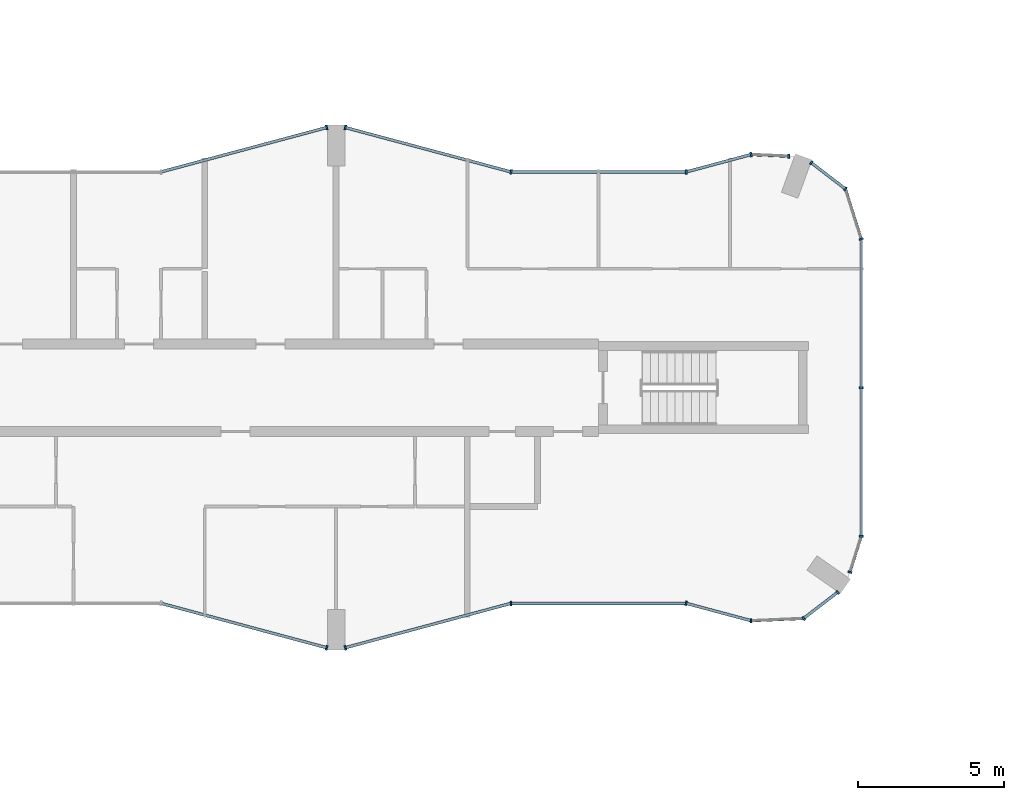
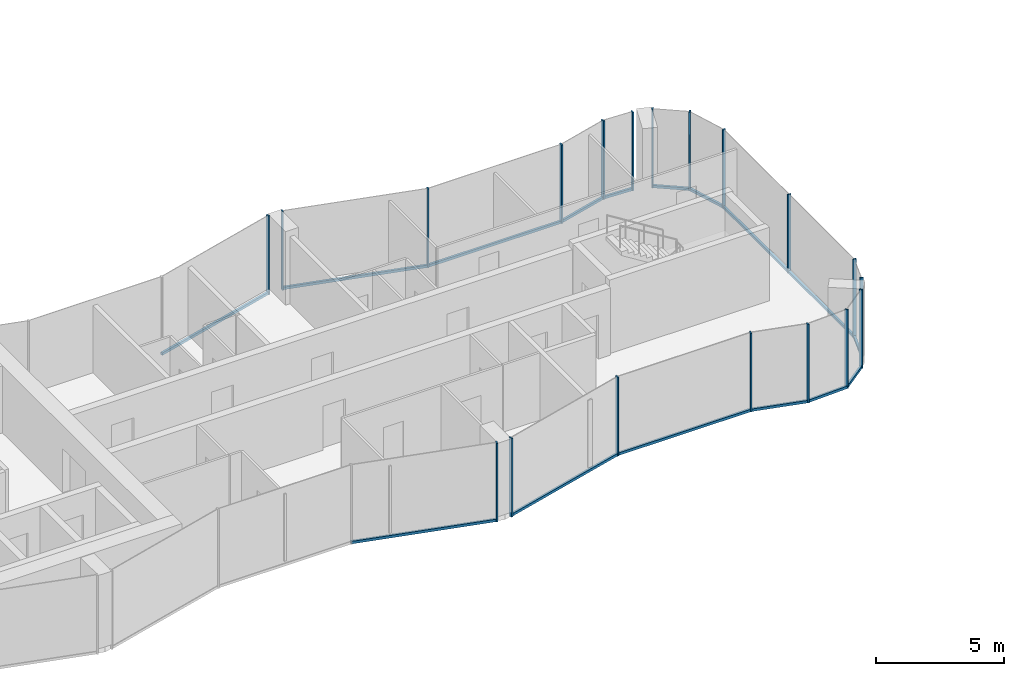
# One storey, part 5 of 22: 34 members, 15 elements without a shape of their own.
"""IFC4 building model written with IfcOpenShell, lengths in metres."""

from ifc_helpers import new_model, si_unit, direction, frame, origin, origin_2d, place, context, subcontext, project, spatial, rectangle, extrude, material, layer, layer_set, material_profile, profile_set, type_object, element, aggregate, save


model = new_model("IFC4")

# Units and contexts
model_context = context("Model", 3, precision=1e-05, world=origin(), true_north=direction((0.0, 1.0)))
body_context = subcontext(model_context, "Body", "Model", "MODEL_VIEW")
ifc_project = project(units=[si_unit("LENGTHUNIT", "METRE"), si_unit("AREAUNIT", "SQUARE_METRE"), si_unit("VOLUMEUNIT", "CUBIC_METRE"), si_unit("PLANEANGLEUNIT", "RADIAN"), si_unit("MASSUNIT", "GRAM", prefix="KILO")], contexts=[model_context])

# Site, building, storey
site_placement = place(None, origin())
site = spatial("IfcSite", under=ifc_project, at=site_placement, CompositionType="ELEMENT")
building_placement = place(site_placement, origin())
building = spatial("IfcBuilding", under=site, at=building_placement, Name="Plateau Cross Towers", CompositionType="ELEMENT")
storey_placement = place(building_placement, frame((0.0, 0.0, 68.800048828125)))
storey = spatial("IfcBuildingStorey", under=building, at=storey_placement, Name="L17", CompositionType="ELEMENT", Elevation=68.800048828125)

# Curtain wall, member
ifc_material_1 = material(Name="Dark low-iron glass", Category="glass")
ifc_layer_1 = layer(ifc_material_1, 0.239990234375)
ifc_layer_set_1 = layer_set([ifc_layer_1], Name="Dark low-iron glass")
curtain_wall_type_1 = type_object("IfcCurtainWallType", Name="Curtain wall flush unitised CW-B", PredefinedType="NOTDEFINED", material=ifc_layer_set_1)
curtain_wall_1_placement = place(storey_placement, origin())
curtain_wall_1 = element("IfcCurtainWall", 1, at=curtain_wall_1_placement, inside=storey, type_object=curtain_wall_type_1, Name="ENV/A/L17/A502_10", PredefinedType="NOTDEFINED")
ifc_material_2 = material(Name="Black anodised aluminium", Category="aluminium")
ifc_material_profile_1 = material_profile(ifc_material_2, rectangle(XDim=0.06005859375, YDim=0.139892578125, at=origin_2d()), Name="MULLION 60x140")
ifc_profile_set_1 = profile_set([ifc_material_profile_1], Name="Black anodised aluminium")
member_type_1 = type_object("IfcMemberType", Name="Mullion 60x140 flush unitised", PredefinedType="MULLION", material=ifc_profile_set_1)
member_1_placement = place(storey_placement, frame((50.223876953125, 1.01123046875, -0.25), z_axis=(0.0, 0.0, 1.0), x_axis=(0.999043701491, 0.043722791671, 0.0)))
member_1 = element("IfcMember", 2, at=member_1_placement, type_object=member_type_1, Name="CW-B mullion 1", PredefinedType="MULLION", context=body_context, shape_type="SweptSolid", body=[
    extrude(rectangle(XDim=0.06005859375, YDim=0.139892578125, at=origin_2d()), origin(), (0.0, 0.0, 1.0), 3.75),
])

# Curtain wall, members
curtain_wall_2_placement = place(storey_placement, origin())
curtain_wall_2 = element("IfcCurtainWall", 3, at=curtain_wall_2_placement, inside=storey, type_object=curtain_wall_type_1, Name="ENV/A/L17/A520_11", PredefinedType="NOTDEFINED")
member_2_placement = place(storey_placement, frame((52.0263671875, 1.090087890625, -0.25), z_axis=(0.0, 0.0, 1.0), x_axis=(0.793315514529, 0.608810721331, 0.0)))
member_2 = element("IfcMember", 4, at=member_2_placement, type_object=member_type_1, Name="CW-B mullion 1", PredefinedType="MULLION", context=body_context, shape_type="SweptSolid", body=[
    extrude(rectangle(XDim=0.06005859375, YDim=0.139892578125, at=origin_2d()), origin(), (0.0, 0.0, 1.0), 3.75),
])
member_3_placement = place(storey_placement, frame((53.193603515625, 1.986083984375, -0.25), z_axis=(0.0, 0.0, 1.0), x_axis=(0.793315514529, 0.608810721331, 0.0)))
member_3 = element("IfcMember", 5, at=member_3_placement, type_object=member_type_1, Name="CW-B mullion 2", PredefinedType="MULLION", context=body_context, shape_type="SweptSolid", body=[
    extrude(rectangle(XDim=0.06005859375, YDim=0.139892578125, at=origin_2d()), origin(), (0.0, 0.0, 1.0), 3.75),
])

# Curtain wall, member
curtain_wall_3_placement = place(storey_placement, origin())
curtain_wall_3 = element("IfcCurtainWall", 6, at=curtain_wall_3_placement, inside=storey, type_object=curtain_wall_type_1, Name="ENV/A/L17/A536_27", PredefinedType="NOTDEFINED")
member_4_placement = place(storey_placement, frame((53.611083984375, 2.67529296875, -0.25), z_axis=(0.0, 0.0, 1.0), x_axis=(0.300686174994, 0.95372313811, 0.0)))
member_4 = element("IfcMember", 7, at=member_4_placement, type_object=member_type_1, Name="CW-B mullion 1", PredefinedType="MULLION", context=body_context, shape_type="SweptSolid", body=[
    extrude(rectangle(XDim=0.06005859375, YDim=0.139892578125, at=origin_2d()), origin(), (0.0, 0.0, 1.0), 3.75),
])

# Curtain wall, members
curtain_wall_4_placement = place(storey_placement, origin())
curtain_wall_4 = element("IfcCurtainWall", 8, at=curtain_wall_4_placement, inside=storey, type_object=curtain_wall_type_1, Name="ENV/A/L17/A540_39", PredefinedType="NOTDEFINED")
member_5_placement = place(storey_placement, frame((54.0, 3.9091796875, -0.25), z_axis=(0.0, 0.0, 1.0), x_axis=(0.0, 1.0, 0.0)))
member_5 = element("IfcMember", 9, at=member_5_placement, type_object=member_type_1, Name="CW-B mullion 1", PredefinedType="MULLION", context=body_context, shape_type="SweptSolid", body=[
    extrude(rectangle(XDim=0.06005859375, YDim=0.139892578125, at=origin_2d()), origin(), (0.0, 0.0, 1.0), 3.75),
])
member_6_placement = place(storey_placement, frame((54.0, 9.0, -0.25), z_axis=(0.0, 0.0, 1.0), x_axis=(0.0, 1.0, 0.0)))
member_6 = element("IfcMember", 10, at=member_6_placement, type_object=member_type_1, Name="CW-B mullion 2", PredefinedType="MULLION", context=body_context, shape_type="SweptSolid", body=[
    extrude(rectangle(XDim=0.06005859375, YDim=0.139892578125, at=origin_2d()), origin(), (0.0, 0.0, 1.0), 3.75),
])

# Curtain wall, member
curtain_wall_5_placement = place(storey_placement, origin())
curtain_wall_5 = element("IfcCurtainWall", 11, at=curtain_wall_5_placement, inside=storey, type_object=curtain_wall_type_1, Name="ENV/A/L17/A540_141", PredefinedType="NOTDEFINED")
member_7_placement = place(storey_placement, frame((54.0, 14.0908203125, -0.25), z_axis=(0.0, 0.0, 1.0), x_axis=(-0.300686174994, 0.95372313811, 0.0)))
member_7 = element("IfcMember", 12, at=member_7_placement, type_object=member_type_1, Name="CW-B mullion 1", PredefinedType="MULLION", context=body_context, shape_type="SweptSolid", body=[
    extrude(rectangle(XDim=0.06005859375, YDim=0.139892578125, at=origin_2d()), origin(), (0.0, 0.0, 1.0), 3.75),
])

# Curtain wall, members
curtain_wall_6_placement = place(storey_placement, origin())
curtain_wall_6 = element("IfcCurtainWall", 13, at=curtain_wall_6_placement, inside=storey, type_object=curtain_wall_type_1, Name="ENV/A/L17/A535_158", PredefinedType="NOTDEFINED")
member_8_placement = place(storey_placement, frame((53.45751953125, 15.8115234375, -0.25), z_axis=(0.0, 0.0, 1.0), x_axis=(-0.793315514529, 0.608810721331, 0.0)))
member_8 = element("IfcMember", 14, at=member_8_placement, type_object=member_type_1, Name="CW-B mullion 1", PredefinedType="MULLION", context=body_context, shape_type="SweptSolid", body=[
    extrude(rectangle(XDim=0.06005859375, YDim=0.139892578125, at=origin_2d()), origin(), (0.0, 0.0, 1.0), 3.75),
])
member_9_placement = place(storey_placement, frame((52.290283203125, 16.707275390625, -0.25), z_axis=(0.0, 0.0, 1.0), x_axis=(-0.793315514529, 0.608810721331, 0.0)))
member_9 = element("IfcMember", 15, at=member_9_placement, type_object=member_type_1, Name="CW-B mullion 2", PredefinedType="MULLION", context=body_context, shape_type="SweptSolid", body=[
    extrude(rectangle(XDim=0.06005859375, YDim=0.139892578125, at=origin_2d()), origin(), (0.0, 0.0, 1.0), 3.75),
])

# Curtain wall, member
curtain_wall_7_placement = place(storey_placement, origin())
curtain_wall_7 = element("IfcCurtainWall", 16, at=curtain_wall_7_placement, inside=storey, type_object=curtain_wall_type_1, Name="ENV/A/L17/A515_169", PredefinedType="NOTDEFINED")
member_10_placement = place(storey_placement, frame((51.516357421875, 16.93212890625, -0.25), z_axis=(0.0, 0.0, 1.0), x_axis=(-0.999043701491, 0.043722791671, 0.0)))
member_10 = element("IfcMember", 17, at=member_10_placement, type_object=member_type_1, Name="CW-B mullion 1", PredefinedType="MULLION", context=body_context, shape_type="SweptSolid", body=[
    extrude(rectangle(XDim=0.06005859375, YDim=0.139892578125, at=origin_2d()), origin(), (0.0, 0.0, 1.0), 3.75),
])

ifc_layer_2 = layer(ifc_material_1, 0.260009765625)
ifc_layer_set_2 = layer_set([ifc_layer_2], Name="Dark low-iron glass")
curtain_wall_type_2 = type_object("IfcCurtainWallType", Name="Curtain wall fluted unitised CW-A", PredefinedType="NOTDEFINED", material=ifc_layer_set_2)
curtain_wall_8_placement = place(storey_placement, origin())
curtain_wall_8 = element("IfcCurtainWall", 18, at=curtain_wall_8_placement, inside=storey, type_object=curtain_wall_type_2, Name="ENV/A/L17/A300_16", PredefinedType="NOTDEFINED")
ifc_material_profile_2 = material_profile(ifc_material_2, rectangle(XDim=0.06005859375, YDim=0.159912109375, at=origin_2d()), Name="MULLION 60x160")
ifc_profile_set_2 = profile_set([ifc_material_profile_2], Name="Black anodised aluminium")
member_type_2 = type_object("IfcMemberType", Name="Mullion 60x160 fluted unitised", PredefinedType="MULLION", material=ifc_profile_set_2)
member_11_placement = place(storey_placement, frame((35.68212890625, 0.085205078125, -0.25), z_axis=(0.0, 0.0, 1.0), x_axis=(0.965957983404, -0.258699003279, 0.0)))
member_11 = element("IfcMember", 19, at=member_11_placement, type_object=member_type_2, Name="CW-A mullion 2", PredefinedType="MULLION", context=body_context, shape_type="SweptSolid", body=[
    extrude(rectangle(XDim=0.06005859375, YDim=0.159912109375, at=origin_2d()), origin(), (0.0, 0.0, 1.0), 3.75),
])

curtain_wall_9_placement = place(storey_placement, origin())
curtain_wall_9 = element("IfcCurtainWall", 20, at=curtain_wall_9_placement, inside=storey, type_object=curtain_wall_type_2, Name="ENV/A/L17/A363_1", PredefinedType="NOTDEFINED")
member_12_placement = place(storey_placement, frame((36.31787109375, 0.085205078125, -0.25), z_axis=(0.0, 0.0, 1.0), x_axis=(0.965957983404, 0.258699003279, 0.0)))
member_12 = element("IfcMember", 21, at=member_12_placement, type_object=member_type_2, Name="CW-A mullion 1", PredefinedType="MULLION", context=body_context, shape_type="SweptSolid", body=[
    extrude(rectangle(XDim=0.06005859375, YDim=0.159912109375, at=origin_2d()), origin(), (0.0, 0.0, 1.0), 3.75),
])

curtain_wall_10_placement = place(storey_placement, origin())
curtain_wall_10 = element("IfcCurtainWall", 22, at=curtain_wall_10_placement, inside=storey, type_object=curtain_wall_type_2, Name="ENV/A/L17/A420_16", PredefinedType="NOTDEFINED")
member_13_placement = place(storey_placement, frame((42.0, 1.60693359375, -0.25), z_axis=(0.0, 0.0, 1.0), x_axis=(1.0, 0.0, 0.0)))
member_13 = element("IfcMember", 23, at=member_13_placement, type_object=member_type_2, Name="CW-A mullion 1", PredefinedType="MULLION", context=body_context, shape_type="SweptSolid", body=[
    extrude(rectangle(XDim=0.06005859375, YDim=0.159912109375, at=origin_2d()), origin(), (0.0, 0.0, 1.0), 3.75),
])

curtain_wall_11_placement = place(storey_placement, origin())
curtain_wall_11 = element("IfcCurtainWall", 24, at=curtain_wall_11_placement, inside=storey, type_object=curtain_wall_type_2, Name="ENV/A/L17/A480_16", PredefinedType="NOTDEFINED")
member_14_placement = place(storey_placement, frame((48.0, 1.60693359375, -0.25), z_axis=(0.0, 0.0, 1.0), x_axis=(0.965957962328, -0.258699081978, 0.0)))
member_14 = element("IfcMember", 25, at=member_14_placement, type_object=member_type_2, Name="CW-A mullion 1", PredefinedType="MULLION", context=body_context, shape_type="SweptSolid", body=[
    extrude(rectangle(XDim=0.06005859375, YDim=0.159912109375, at=origin_2d()), origin(), (0.0, 0.0, 1.0), 3.75),
])

curtain_wall_12_placement = place(storey_placement, origin())
curtain_wall_12 = element("IfcCurtainWall", 26, at=curtain_wall_12_placement, inside=storey, type_object=curtain_wall_type_2, Name="ENV/A/L17/A502_170", PredefinedType="NOTDEFINED")
member_15_placement = place(storey_placement, frame((50.223876953125, 16.98876953125, -0.25), z_axis=(0.0, 0.0, 1.0), x_axis=(-0.965957962328, -0.258699081978, 0.0)))
member_15 = element("IfcMember", 27, at=member_15_placement, type_object=member_type_2, Name="CW-A mullion 1", PredefinedType="MULLION", context=body_context, shape_type="SweptSolid", body=[
    extrude(rectangle(XDim=0.06005859375, YDim=0.159912109375, at=origin_2d()), origin(), (0.0, 0.0, 1.0), 3.75),
])

curtain_wall_13_placement = place(storey_placement, origin())
curtain_wall_13 = element("IfcCurtainWall", 28, at=curtain_wall_13_placement, inside=storey, type_object=curtain_wall_type_2, Name="ENV/A/L17/A480_164", PredefinedType="NOTDEFINED")
member_16_placement = place(storey_placement, frame((48.0, 16.39306640625, -0.25), z_axis=(0.0, 0.0, 1.0), x_axis=(-1.0, 0.0, 0.0)))
member_16 = element("IfcMember", 29, at=member_16_placement, type_object=member_type_2, Name="CW-A mullion 1", PredefinedType="MULLION", context=body_context, shape_type="SweptSolid", body=[
    extrude(rectangle(XDim=0.06005859375, YDim=0.159912109375, at=origin_2d()), origin(), (0.0, 0.0, 1.0), 3.75),
])

# Curtain wall, members
curtain_wall_14_placement = place(storey_placement, origin())
curtain_wall_14 = element("IfcCurtainWall", 30, at=curtain_wall_14_placement, inside=storey, type_object=curtain_wall_type_2, Name="ENV/A/L17/A420_164", PredefinedType="NOTDEFINED")
member_17_placement = place(storey_placement, frame((42.0, 16.39306640625, -0.25), z_axis=(0.0, 0.0, 1.0), x_axis=(-0.965957983404, 0.258699003279, 0.0)))
member_17 = element("IfcMember", 31, at=member_17_placement, type_object=member_type_2, Name="CW-A mullion 1", PredefinedType="MULLION", context=body_context, shape_type="SweptSolid", body=[
    extrude(rectangle(XDim=0.06005859375, YDim=0.159912109375, at=origin_2d()), origin(), (0.0, 0.0, 1.0), 3.75),
])
member_18_placement = place(storey_placement, frame((36.31787109375, 17.914794921875, -0.25), z_axis=(0.0, 0.0, 1.0), x_axis=(-0.965957983404, 0.258699003279, 0.0)))
member_18 = element("IfcMember", 32, at=member_18_placement, type_object=member_type_2, Name="CW-A mullion 2", PredefinedType="MULLION", context=body_context, shape_type="SweptSolid", body=[
    extrude(rectangle(XDim=0.06005859375, YDim=0.159912109375, at=origin_2d()), origin(), (0.0, 0.0, 1.0), 3.75),
])

# Curtain wall, member
curtain_wall_15_placement = place(storey_placement, origin())
curtain_wall_15 = element("IfcCurtainWall", 33, at=curtain_wall_15_placement, inside=storey, type_object=curtain_wall_type_2, Name="ENV/A/L17/A357_179", PredefinedType="NOTDEFINED")
member_19_placement = place(storey_placement, frame((35.68212890625, 17.914794921875, -0.25), z_axis=(0.0, 0.0, 1.0), x_axis=(-0.965957983404, -0.258699003279, 0.0)))
member_19 = element("IfcMember", 34, at=member_19_placement, type_object=member_type_2, Name="CW-A mullion 1", PredefinedType="MULLION", context=body_context, shape_type="SweptSolid", body=[
    extrude(rectangle(XDim=0.06005859375, YDim=0.159912109375, at=origin_2d()), origin(), (0.0, 0.0, 1.0), 3.75),
])

# Member
ifc_material_profile_3 = material_profile(ifc_material_2, rectangle(XDim=0.10009765625, YDim=0.1201171875, at=origin_2d()), Name="TRANSOM 100x120")
ifc_profile_set_3 = profile_set([ifc_material_profile_3], Name="Black anodised aluminium")
member_type_3 = type_object("IfcMemberType", Name="Transom 100x120 flush unitised", PredefinedType="USERDEFINED", material=ifc_profile_set_3)
member_20_placement = place(storey_placement, frame((50.223876953125, 1.01123046875, -0.18994140625), z_axis=(0.999044377355, 0.043707345779, 0.0), x_axis=(-0.043707345779, 0.999044377355, 0.0)))
member_20 = element("IfcMember", 35, at=member_20_placement, type_object=member_type_3, Name="CW-B transom", ObjectType="TRANSOM", PredefinedType="USERDEFINED", context=body_context, shape_type="SweptSolid", body=[
    extrude(rectangle(XDim=0.10009765625, YDim=0.1201171875, at=origin_2d()), origin(), (0.0, 0.0, 1.0), 1.80419921875),
])

aggregate(curtain_wall_1, [member_1, member_20])

member_21_placement = place(storey_placement, frame((52.0263671875, 1.090087890625, -0.18994140625), z_axis=(0.793240368515, 0.608908628415, 0.0), x_axis=(-0.608908628415, 0.793240368515, 0.0)))
member_21 = element("IfcMember", 36, at=member_21_placement, type_object=member_type_3, Name="CW-B transom", ObjectType="TRANSOM", PredefinedType="USERDEFINED", context=body_context, shape_type="SweptSolid", body=[
    extrude(rectangle(XDim=0.10009765625, YDim=0.1201171875, at=origin_2d()), origin(), (0.0, 0.0, 1.0), 1.471435546875),
])

aggregate(curtain_wall_2, [member_2, member_3, member_21])

member_22_placement = place(storey_placement, frame((53.611083984375, 2.67529296875, -0.18994140625), z_axis=(0.300616528216, 0.953745093284, 0.0), x_axis=(-0.953745093284, 0.300616528216, 0.0)))
member_22 = element("IfcMember", 37, at=member_22_placement, type_object=member_type_3, Name="CW-B transom", ObjectType="TRANSOM", PredefinedType="USERDEFINED", context=body_context, shape_type="SweptSolid", body=[
    extrude(rectangle(XDim=0.10009765625, YDim=0.1201171875, at=origin_2d()), origin(), (0.0, 0.0, 1.0), 1.293701171875),
])

aggregate(curtain_wall_3, [member_4, member_22])

member_23_placement = place(storey_placement, frame((54.0, 3.9091796875, -0.18994140625), z_axis=(0.0, 1.0, 0.0), x_axis=(-1.0, 0.0, 0.0)))
member_23 = element("IfcMember", 38, at=member_23_placement, type_object=member_type_3, Name="CW-B transom", ObjectType="TRANSOM", PredefinedType="USERDEFINED", context=body_context, shape_type="SweptSolid", body=[
    extrude(rectangle(XDim=0.10009765625, YDim=0.1201171875, at=origin_2d()), origin(), (0.0, 0.0, 1.0), 10.181640625),
])

aggregate(curtain_wall_4, [member_5, member_6, member_23])

member_24_placement = place(storey_placement, frame((54.0, 14.0908203125, -0.18994140625), z_axis=(-0.30067799945, 0.953725715626, 0.0), x_axis=(-0.953725715626, -0.30067799945, 0.0)))
member_24 = element("IfcMember", 39, at=member_24_placement, type_object=member_type_3, Name="CW-B transom", ObjectType="TRANSOM", PredefinedType="USERDEFINED", context=body_context, shape_type="SweptSolid", body=[
    extrude(rectangle(XDim=0.10009765625, YDim=0.1201171875, at=origin_2d()), origin(), (0.0, 0.0, 1.0), 1.80419921875),
])

aggregate(curtain_wall_5, [member_7, member_24])

member_25_placement = place(storey_placement, frame((53.45751953125, 15.8115234375, -0.18994140625), z_axis=(-0.793320508571, 0.608804213751, 0.0), x_axis=(-0.608804213751, -0.793320508571, 0.0)))
member_25 = element("IfcMember", 40, at=member_25_placement, type_object=member_type_3, Name="CW-B transom", ObjectType="TRANSOM", PredefinedType="USERDEFINED", context=body_context, shape_type="SweptSolid", body=[
    extrude(rectangle(XDim=0.10009765625, YDim=0.1201171875, at=origin_2d()), origin(), (0.0, 0.0, 1.0), 1.471435546875),
])

aggregate(curtain_wall_6, [member_8, member_9, member_25])

member_26_placement = place(storey_placement, frame((51.516357421875, 16.93212890625, -0.18994140625), z_axis=(-0.999041144614, 0.043781175963, 0.0), x_axis=(-0.043781175963, -0.999041144614, 0.0)))
member_26 = element("IfcMember", 41, at=member_26_placement, type_object=member_type_3, Name="CW-B transom", ObjectType="TRANSOM", PredefinedType="USERDEFINED", context=body_context, shape_type="SweptSolid", body=[
    extrude(rectangle(XDim=0.10009765625, YDim=0.1201171875, at=origin_2d()), origin(), (0.0, 0.0, 1.0), 1.293701171875),
])

aggregate(curtain_wall_7, [member_10, member_26])

ifc_material_profile_4 = material_profile(ifc_material_2, rectangle(XDim=0.10009765625, YDim=0.1201171875, at=origin_2d()), Name="TRANSOM 100x120")
ifc_profile_set_4 = profile_set([ifc_material_profile_4], Name="Black anodised aluminium")
member_type_4 = type_object("IfcMemberType", Name="Transom 100x120 fluted unitised", PredefinedType="USERDEFINED", material=ifc_profile_set_4)
member_27_placement = place(storey_placement, frame((30.0, 1.60693359375, -0.18994140625), z_axis=(0.965959534794, -0.258693210465, 0.0), x_axis=(0.258693210465, 0.965959534794, 0.0)))
member_27 = element("IfcMember", 42, at=member_27_placement, type_object=member_type_4, Name="CW-A transom", ObjectType="TRANSOM", PredefinedType="USERDEFINED", context=body_context, shape_type="SweptSolid", body=[
    extrude(rectangle(XDim=0.10009765625, YDim=0.1201171875, at=origin_2d()), origin(), (0.0, 0.0, 1.0), 5.88232421875),
])

aggregate(curtain_wall_8, [member_11, member_27])

member_28_placement = place(storey_placement, frame((36.31787109375, 0.085205078125, -0.18994140625), z_axis=(0.965959534794, 0.258693210465, 0.0), x_axis=(-0.258693210465, 0.965959534794, 0.0)))
member_28 = element("IfcMember", 43, at=member_28_placement, type_object=member_type_4, Name="CW-A transom", ObjectType="TRANSOM", PredefinedType="USERDEFINED", context=body_context, shape_type="SweptSolid", body=[
    extrude(rectangle(XDim=0.10009765625, YDim=0.1201171875, at=origin_2d()), origin(), (0.0, 0.0, 1.0), 5.88232421875),
])

aggregate(curtain_wall_9, [member_12, member_28])

member_29_placement = place(storey_placement, frame((42.0, 1.60693359375, -0.18994140625), z_axis=(1.0, 0.0, 0.0), x_axis=(0.0, 1.0, 0.0)))
member_29 = element("IfcMember", 44, at=member_29_placement, type_object=member_type_4, Name="CW-A transom", ObjectType="TRANSOM", PredefinedType="USERDEFINED", context=body_context, shape_type="SweptSolid", body=[
    extrude(rectangle(XDim=0.10009765625, YDim=0.1201171875, at=origin_2d()), origin(), (0.0, 0.0, 1.0), 6.0),
])

aggregate(curtain_wall_10, [member_13, member_29])

member_30_placement = place(storey_placement, frame((48.0, 1.60693359375, -0.18994140625), z_axis=(0.965945685136, -0.258744919501, 0.0), x_axis=(0.258744919501, 0.965945685136, 0.0)))
member_30 = element("IfcMember", 45, at=member_30_placement, type_object=member_type_4, Name="CW-A transom", ObjectType="TRANSOM", PredefinedType="USERDEFINED", context=body_context, shape_type="SweptSolid", body=[
    extrude(rectangle(XDim=0.10009765625, YDim=0.1201171875, at=origin_2d()), origin(), (0.0, 0.0, 1.0), 2.30224609375),
])

aggregate(curtain_wall_11, [member_14, member_30])

member_31_placement = place(storey_placement, frame((50.223876953125, 16.98876953125, -0.18994140625), z_axis=(-0.965945685136, -0.258744919501, 0.0), x_axis=(0.258744919501, -0.965945685136, 0.0)))
member_31 = element("IfcMember", 46, at=member_31_placement, type_object=member_type_4, Name="CW-A transom", ObjectType="TRANSOM", PredefinedType="USERDEFINED", context=body_context, shape_type="SweptSolid", body=[
    extrude(rectangle(XDim=0.10009765625, YDim=0.1201171875, at=origin_2d()), origin(), (0.0, 0.0, 1.0), 2.30224609375),
])

aggregate(curtain_wall_12, [member_15, member_31])

member_32_placement = place(storey_placement, frame((48.0, 16.39306640625, -0.18994140625), z_axis=(-1.0, 0.0, 0.0), x_axis=(0.0, -1.0, 0.0)))
member_32 = element("IfcMember", 47, at=member_32_placement, type_object=member_type_4, Name="CW-A transom", ObjectType="TRANSOM", PredefinedType="USERDEFINED", context=body_context, shape_type="SweptSolid", body=[
    extrude(rectangle(XDim=0.10009765625, YDim=0.1201171875, at=origin_2d()), origin(), (0.0, 0.0, 1.0), 6.0),
])

aggregate(curtain_wall_13, [member_16, member_32])

member_33_placement = place(storey_placement, frame((42.0, 16.39306640625, -0.18994140625), z_axis=(-0.965959534794, 0.258693210465, 0.0), x_axis=(-0.258693210465, -0.965959534794, 0.0)))
member_33 = element("IfcMember", 48, at=member_33_placement, type_object=member_type_4, Name="CW-A transom", ObjectType="TRANSOM", PredefinedType="USERDEFINED", context=body_context, shape_type="SweptSolid", body=[
    extrude(rectangle(XDim=0.10009765625, YDim=0.1201171875, at=origin_2d()), origin(), (0.0, 0.0, 1.0), 5.88232421875),
])

aggregate(curtain_wall_14, [member_17, member_18, member_33])

member_34_placement = place(storey_placement, frame((35.68212890625, 17.914794921875, -0.18994140625), z_axis=(-0.965959534794, -0.258693210465, 0.0), x_axis=(0.258693210465, -0.965959534794, 0.0)))
member_34 = element("IfcMember", 49, at=member_34_placement, type_object=member_type_4, Name="CW-A transom", ObjectType="TRANSOM", PredefinedType="USERDEFINED", context=body_context, shape_type="SweptSolid", body=[
    extrude(rectangle(XDim=0.10009765625, YDim=0.1201171875, at=origin_2d()), origin(), (0.0, 0.0, 1.0), 5.88232421875),
])

aggregate(curtain_wall_15, [member_19, member_34])

save(model, "model.ifc")
